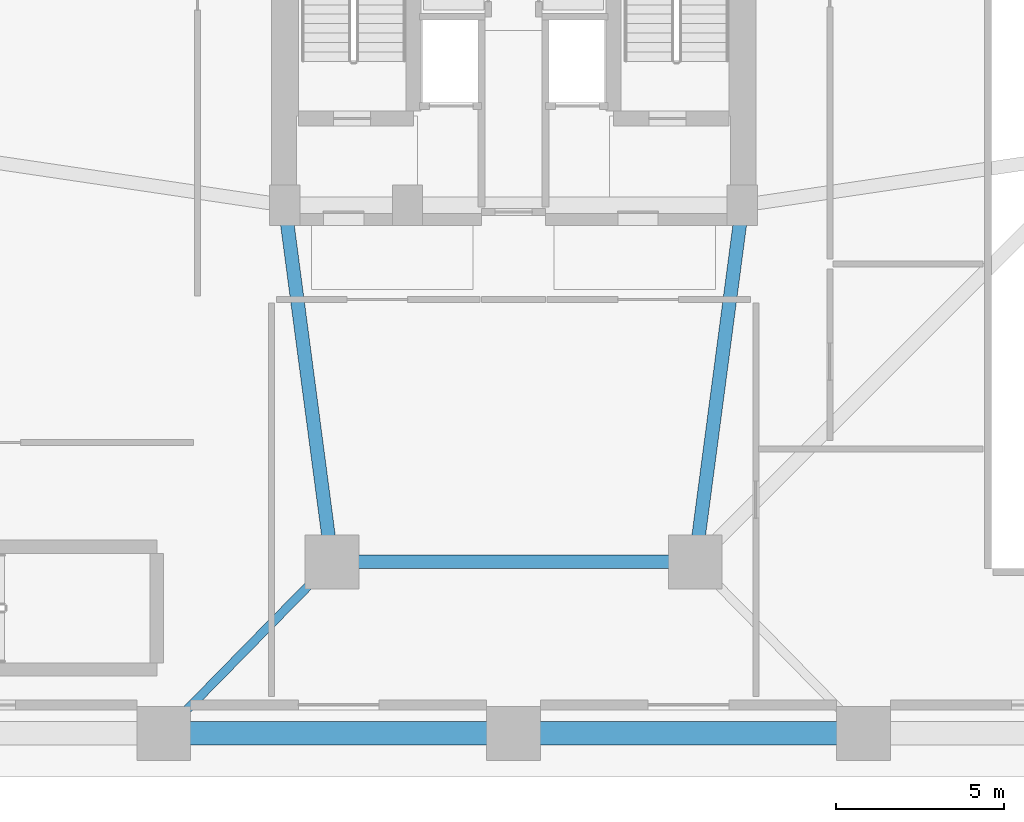
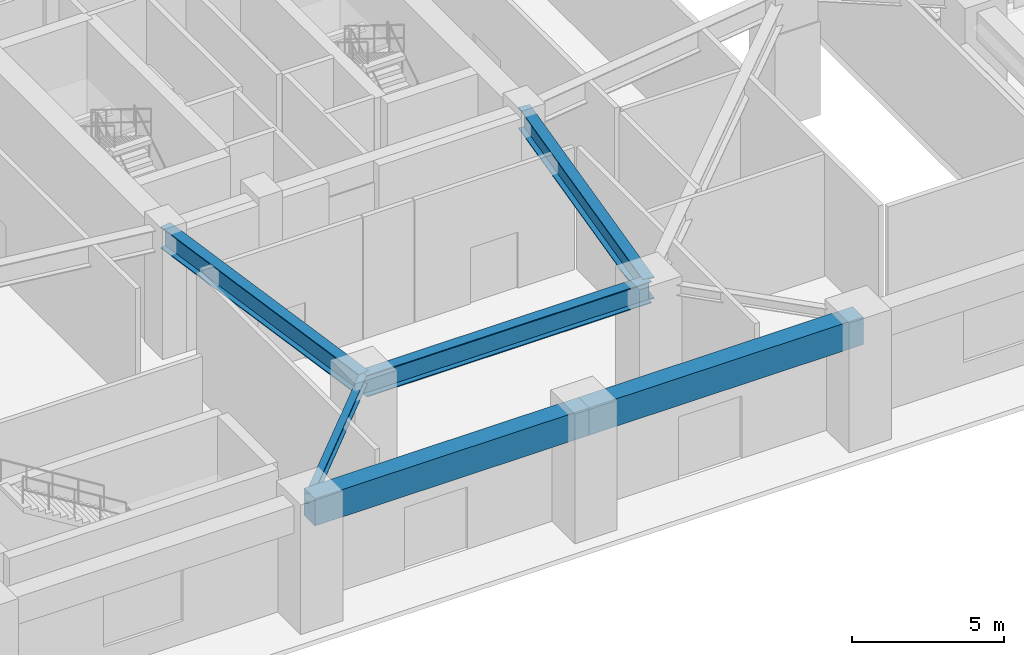
# One storey, part 5 of 27: 6 beams.
"""IFC4 building model written with IfcOpenShell, lengths in metres."""

from ifc_helpers import new_model, si_unit, direction, frame, origin, origin_2d, place, context, subcontext, project, spatial, rectangle, i_section, extrude, material, material_profile, profile_set, type_object, element, save


model = new_model("IFC4")

# Units and contexts
model_context = context("Model", 3, precision=1e-05, world=origin(), true_north=direction((0.0, 1.0)))
body_context = subcontext(model_context, "Body", "Model", "MODEL_VIEW")
ifc_project = project(units=[si_unit("LENGTHUNIT", "METRE"), si_unit("AREAUNIT", "SQUARE_METRE"), si_unit("VOLUMEUNIT", "CUBIC_METRE"), si_unit("PLANEANGLEUNIT", "RADIAN"), si_unit("MASSUNIT", "GRAM", prefix="KILO")], contexts=[model_context])

# Site, building, storey
site_placement = place(None, origin())
site = spatial("IfcSite", under=ifc_project, at=site_placement, CompositionType="ELEMENT")
building_placement = place(site_placement, origin())
building = spatial("IfcBuilding", under=site, at=building_placement, Name="Veraguas Prism Commons", CompositionType="ELEMENT")
storey_placement = place(building_placement, origin())
storey = spatial("IfcBuildingStorey", under=building, at=storey_placement, Name="L00", CompositionType="ELEMENT", Elevation=0.0)

# Beams
ifc_material_1 = material(Name="Steel ASTM A992 Grade 50", Category="steel")
ifc_material_profile_1 = material_profile(ifc_material_1, i_section(OverallWidth=0.403076171875, OverallDepth=0.867919921875, WebThickness=0.02099609375, FlangeThickness=0.03564453125, at=origin_2d()), Name="W840X359")
ifc_profile_set_1 = profile_set([ifc_material_profile_1], Name="Steel ASTM A992 Grade 50")
beam_type_1 = type_object("IfcBeamType", Name="Concourse Primary Girder W840x359", PredefinedType="BEAM", material=ifc_profile_set_1)
for number, where, z_axis, x_axis, name in (
    (1, (18.60009765625, 6.39990234375, 4.466064453125), (-0.130950648891, 0.991388888154, 0.0), (-0.991388888154, -0.130950648891, 0.0), "Concourse Radial Girder L00-TMR07"),
    (2, (29.39990234375, 6.39990234375, 4.466064453125), (0.130950648891, 0.991388888154, 0.0), (-0.991388888154, 0.130950648891, 0.0), "Concourse Radial Girder L00-TMR08"),
):
    element("IfcBeam", number, at=place(storey_placement, frame(where, z_axis=z_axis, x_axis=x_axis)), inside=storey, type_object=beam_type_1, Name=name, PredefinedType="BEAM", context=body_context, shape_type="SweptSolid", body=[
        extrude(i_section(OverallWidth=0.403076171875, OverallDepth=0.867919921875, WebThickness=0.02099609375, FlangeThickness=0.03564453125, at=origin_2d()), origin(), (0.0, 0.0, 1.0), 10.692138671875),
    ])
beam_1_placement = place(storey_placement, frame((18.60009765625, 6.39990234375, 4.466064453125), z_axis=(1.0, 0.0, 0.0), x_axis=(0.0, 1.0, 0.0)))
element("IfcBeam", 3, at=beam_1_placement, inside=storey, type_object=beam_type_1, Name="Concourse Ring Girder L00-TMH07", PredefinedType="BEAM", context=body_context, shape_type="SweptSolid", body=[
    extrude(i_section(OverallWidth=0.403076171875, OverallDepth=0.867919921875, WebThickness=0.02099609375, FlangeThickness=0.03564453125, at=origin_2d()), origin(), (0.0, 0.0, 1.0), 10.7998046875),
])
ifc_material_profile_2 = material_profile(ifc_material_1, i_section(OverallWidth=0.260986328125, OverallDepth=0.419921875, WebThickness=0.01171875, FlangeThickness=0.019287109375, at=origin_2d()), Name="W410X114")
ifc_profile_set_2 = profile_set([ifc_material_profile_2], Name="Steel ASTM A992 Grade 50")
beam_type_2 = type_object("IfcBeamType", Name="Lower Floor Joist W410x114", PredefinedType="JOIST", material=ifc_profile_set_2)
beam_2_placement = place(storey_placement, frame((18.60009765625, 6.39990234375, 4.68994140625), z_axis=(-0.700081663946, -0.71406278702, 0.0), x_axis=(0.71406278702, -0.700081663946, 0.0)))
element("IfcBeam", 4, at=beam_2_placement, inside=storey, type_object=beam_type_2, Name="Podium Tie Beam L00-TMT07", PredefinedType="JOIST", context=body_context, shape_type="SweptSolid", body=[
    extrude(i_section(OverallWidth=0.260986328125, OverallDepth=0.419921875, WebThickness=0.01171875, FlangeThickness=0.019287109375, at=origin_2d()), origin(), (0.0, 0.0, 1.0), 7.14208984375),
])
ifc_material_2 = material(Name="Concrete C50/60", Category="concrete")
ifc_material_profile_3 = material_profile(ifc_material_2, rectangle(XDim=0.699951171875, YDim=1.10009765625, at=origin_2d()), Name="RC700X1100")
ifc_profile_set_3 = profile_set([ifc_material_profile_3], Name="Concrete C50/60")
beam_type_3 = type_object("IfcBeamType", Name="Podium Primary Girder RC 700x1100", PredefinedType="BEAM", material=ifc_profile_set_3)
for number, where, z_axis, x_axis, name in (
    (5, (13.60009765625, 1.300048828125, 4.35009765625), (1.0, 0.0, 0.0), (0.0, 1.0, 0.0), "Podium Perimeter Girder L00-PDR02"),
    (6, (24.0, 1.300048828125, 4.35009765625), (1.0, 0.0, 0.0), (0.0, 1.0, 0.0), "Podium Perimeter Girder L00-PDR03"),
):
    element("IfcBeam", number, at=place(storey_placement, frame(where, z_axis=z_axis, x_axis=x_axis)), inside=storey, type_object=beam_type_3, Name=name, PredefinedType="BEAM", context=body_context, shape_type="SweptSolid", body=[
        extrude(rectangle(XDim=0.699951171875, YDim=1.10009765625, at=origin_2d()), origin(), (0.0, 0.0, 1.0), 10.39990234375),
    ])

save(model, "model.ifc")
